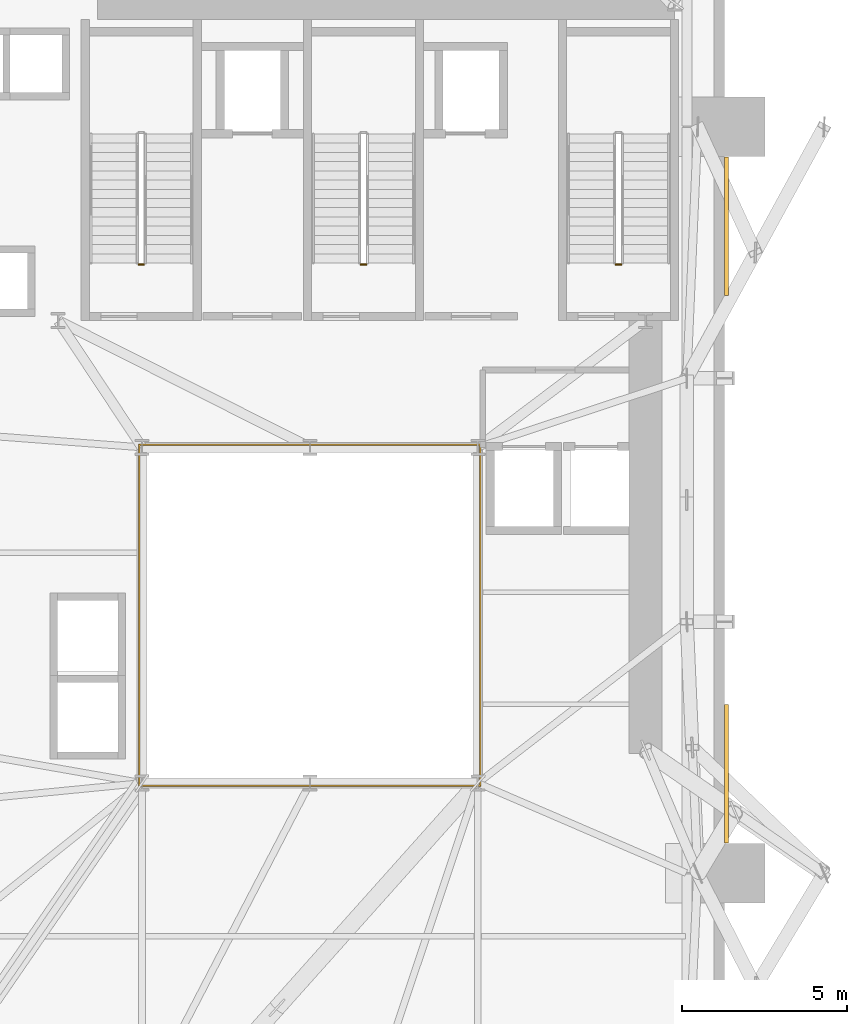
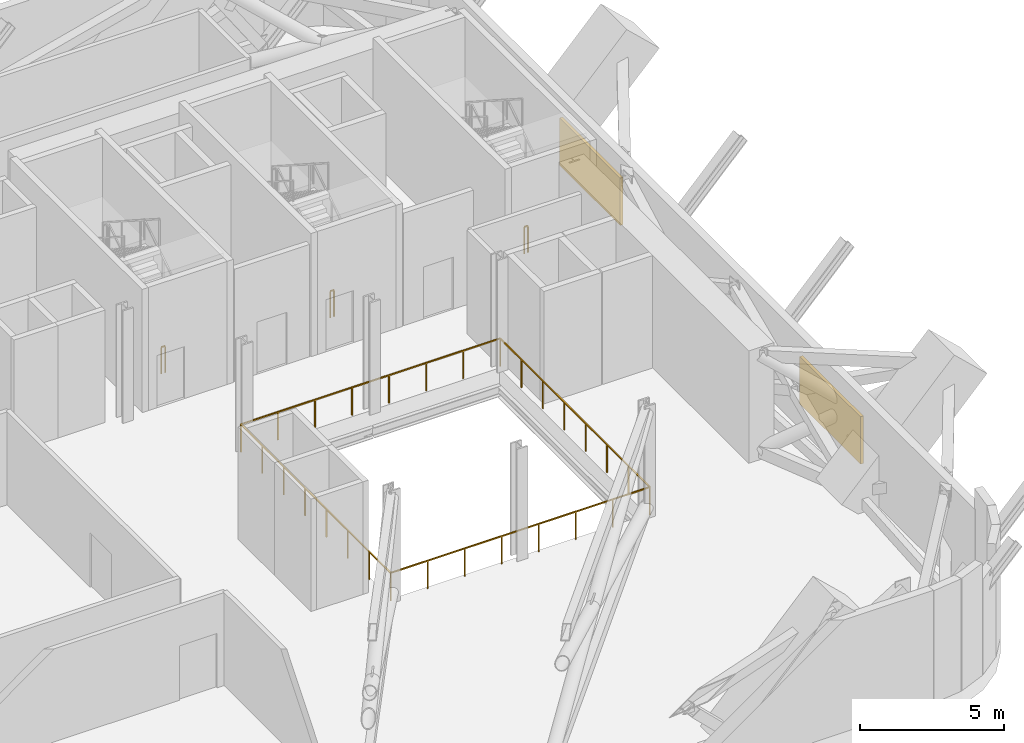
# One storey, part 11 of 12: 4 railings, 2 shading devices.
"""IFC4 building model written with IfcOpenShell, lengths in metres."""

from ifc_helpers import new_model, si_unit, direction, frame, origin, origin_2d, place, context, subcontext, project, spatial, rectangle, extrude, source, transform, mapped, material, layer, layer_set, type_object, element, save


model = new_model("IFC4")

# Units and contexts
model_context = context("Model", 3, precision=1e-05, world=origin(), true_north=direction((0.0, 1.0)))
body_context = subcontext(model_context, "Body", "Model", "MODEL_VIEW")
ifc_project = project(units=[si_unit("LENGTHUNIT", "METRE"), si_unit("AREAUNIT", "SQUARE_METRE"), si_unit("VOLUMEUNIT", "CUBIC_METRE"), si_unit("PLANEANGLEUNIT", "RADIAN"), si_unit("MASSUNIT", "GRAM", prefix="KILO")], contexts=[model_context])

# Site, building, storey
site_placement = place(None, origin())
site = spatial("IfcSite", under=ifc_project, at=site_placement, CompositionType="ELEMENT")
building_placement = place(site_placement, origin())
building = spatial("IfcBuilding", under=site, at=building_placement, Name="Vardaveli Station Tower", CompositionType="ELEMENT")
storey_placement = place(building_placement, frame((0.0, 0.0, 93.300048828125)))
storey = spatial("IfcBuildingStorey", under=building, at=storey_placement, Name="L24", CompositionType="ELEMENT", Elevation=93.300048828125)

# Shading devices
ifc_material_1 = material(Name="Anodised champagne aluminium acoustic louvre", Category="aluminium")
ifc_layer = layer(ifc_material_1, 0.1201171875, Name="Anodised champagne aluminium acoustic louvre")
ifc_layer_set = layer_set([ifc_layer], Name="Anodised champagne aluminium acoustic louvre")
shading_device_type = type_object("IfcShadingDeviceType", Name="SHD-LOUVRE-JAL", PredefinedType="JALOUSIE", material=ifc_layer_set)
shared_shape_1 = source(origin(), body_context, "Body", "SweptSolid", [
    extrude(rectangle(XDim=4.199951171875, YDim=0.1201171875, at=origin_2d()), origin(), (0.0, 0.0, 1.0), 2.0),
])
for number, where, z_axis, x_axis, name in (
    (1, (48.9541015625, 16.884033203125, 0.599853515625), (0.0, 0.0, 1.0), (0.0, 1.0, 0.0), "SHD-LV-L24-E1"),
    (2, (48.9541015625, 33.51611328125, 0.599853515625), (0.0, 0.0, 1.0), (0.0, 1.0, 0.0), "SHD-LV-L24-E2"),
):
    element("IfcShadingDevice", number, at=place(storey_placement, frame(where, z_axis=z_axis, x_axis=x_axis)), inside=storey, type_object=shading_device_type, Name=name, PredefinedType="JALOUSIE", context=body_context, shape_type="MappedRepresentation", body=[
        mapped(shared_shape_1, transform((0.0, 0.0, 0.0), scale=1.0)),
    ])

# Railings
ifc_material_2 = material(Name="Brushed AISI 316 stainless steel", Category="steel")
railing_type_1 = type_object("IfcRailingType", Name="RL-GUARD-1150", PredefinedType="GUARDRAIL", material=ifc_material_2)
shared_shape_2 = source(origin(), body_context, "Body", "SweptSolid", [
    extrude(rectangle(XDim=0.048095703125, YDim=0.048095703125, at=origin_2d()), frame((0.0, 0.0, 1.1259765625), z_axis=(-1.0, 0.0, 0.0), x_axis=(0.0, -1.0, 0.0)), (0.0, 0.0, 1.0), 0.14990234375),
    extrude(rectangle(XDim=0.0419921875, YDim=0.0419921875, at=origin_2d()), origin(), (0.0, 0.0, 1.0), 1.101806640625),
    extrude(rectangle(XDim=0.0419921875, YDim=0.0419921875, at=origin_2d()), frame((-0.14990234375, 0.0, 0.0)), (0.0, 0.0, 1.0), 1.101806640625),
])
for number, where, name in (
    (3, (31.25, 32.35009765625, 0.0), "L24 ST-1 stair guard 4"),
    (4, (38.0, 32.35009765625, 0.0), "L24 ST-2 stair guard 4"),
    (5, (45.75, 32.35009765625, 0.0), "L24 ST-3 stair guard 4"),
):
    element("IfcRailing", number, at=place(storey_placement, frame(where)), inside=storey, type_object=railing_type_1, Name=name, PredefinedType="GUARDRAIL", context=body_context, shape_type="MappedRepresentation", body=[
        mapped(shared_shape_2, transform((0.0, 0.0, 0.0), scale=1.0)),
    ])
ifc_material_3 = material(Name="Laminated glass and stainless steel balustrade", Category="steel")
railing_type_2 = type_object("IfcRailingType", Name="RL-BAL-1200", PredefinedType="BALUSTRADE", material=ifc_material_3)
shared_shape_3 = source(origin(), body_context, "Body", "SweptSolid", [
    extrude(rectangle(XDim=0.048095703125, YDim=0.048095703125, at=origin_2d()), frame((0.0, 0.0, 1.17578125), z_axis=(1.0, 0.0, 0.0), x_axis=(0.0, 1.0, 0.0)), (0.0, 0.0, 1.0), 10.35986328125),
    extrude(rectangle(XDim=0.048095703125, YDim=0.048095703125, at=origin_2d()), frame((10.35986328125, 0.0, 1.17578125), z_axis=(0.0, 1.0, 0.0), x_axis=(-1.0, 0.0, 0.0)), (0.0, 0.0, 1.0), 10.35986328125),
    extrude(rectangle(XDim=0.048095703125, YDim=0.048095703125, at=origin_2d()), frame((10.35986328125, 10.35986328125, 1.17578125), z_axis=(-1.0, 0.0, 0.0), x_axis=(0.0, -1.0, 0.0)), (0.0, 0.0, 1.0), 10.35986328125),
    extrude(rectangle(XDim=0.048095703125, YDim=0.048095703125, at=origin_2d()), frame((0.0, 10.35986328125, 1.17578125), z_axis=(0.0, -1.0, 0.0), x_axis=(1.0, 0.0, 0.0)), (0.0, 0.0, 1.0), 10.35986328125),
    extrude(rectangle(XDim=0.0419921875, YDim=0.0419921875, at=origin_2d()), origin(), (0.0, 0.0, 1.0), 1.15185546875),
    extrude(rectangle(XDim=0.0419921875, YDim=0.0419921875, at=origin_2d()), frame((1.47998046875, 0.0, 0.0)), (0.0, 0.0, 1.0), 1.15185546875),
    extrude(rectangle(XDim=0.0419921875, YDim=0.0419921875, at=origin_2d()), frame((2.9599609375, 0.0, 0.0)), (0.0, 0.0, 1.0), 1.15185546875),
    extrude(rectangle(XDim=0.0419921875, YDim=0.0419921875, at=origin_2d()), frame((4.43994140625, 0.0, 0.0)), (0.0, 0.0, 1.0), 1.15185546875),
    extrude(rectangle(XDim=0.0419921875, YDim=0.0419921875, at=origin_2d()), frame((5.919921875, 0.0, 0.0)), (0.0, 0.0, 1.0), 1.15185546875),
    extrude(rectangle(XDim=0.0419921875, YDim=0.0419921875, at=origin_2d()), frame((7.39990234375, 0.0, 0.0)), (0.0, 0.0, 1.0), 1.15185546875),
    extrude(rectangle(XDim=0.0419921875, YDim=0.0419921875, at=origin_2d()), frame((8.8798828125, 0.0, 0.0)), (0.0, 0.0, 1.0), 1.15185546875),
    extrude(rectangle(XDim=0.0419921875, YDim=0.0419921875, at=origin_2d()), frame((10.35986328125, 0.0, 0.0)), (0.0, 0.0, 1.0), 1.15185546875),
    extrude(rectangle(XDim=0.0419921875, YDim=0.0419921875, at=origin_2d()), frame((10.35986328125, 1.47998046875, 0.0)), (0.0, 0.0, 1.0), 1.15185546875),
    extrude(rectangle(XDim=0.0419921875, YDim=0.0419921875, at=origin_2d()), frame((10.35986328125, 2.9599609375, 0.0)), (0.0, 0.0, 1.0), 1.15185546875),
    extrude(rectangle(XDim=0.0419921875, YDim=0.0419921875, at=origin_2d()), frame((10.35986328125, 4.43994140625, 0.0)), (0.0, 0.0, 1.0), 1.15185546875),
    extrude(rectangle(XDim=0.0419921875, YDim=0.0419921875, at=origin_2d()), frame((10.35986328125, 5.919921875, 0.0)), (0.0, 0.0, 1.0), 1.15185546875),
    extrude(rectangle(XDim=0.0419921875, YDim=0.0419921875, at=origin_2d()), frame((10.35986328125, 7.39990234375, 0.0)), (0.0, 0.0, 1.0), 1.15185546875),
    extrude(rectangle(XDim=0.0419921875, YDim=0.0419921875, at=origin_2d()), frame((10.35986328125, 8.8798828125, 0.0)), (0.0, 0.0, 1.0), 1.15185546875),
    extrude(rectangle(XDim=0.0419921875, YDim=0.0419921875, at=origin_2d()), frame((10.35986328125, 10.35986328125, 0.0)), (0.0, 0.0, 1.0), 1.15185546875),
    extrude(rectangle(XDim=0.0419921875, YDim=0.0419921875, at=origin_2d()), frame((8.8798828125, 10.35986328125, 0.0)), (0.0, 0.0, 1.0), 1.15185546875),
    extrude(rectangle(XDim=0.0419921875, YDim=0.0419921875, at=origin_2d()), frame((7.39990234375, 10.35986328125, 0.0)), (0.0, 0.0, 1.0), 1.15185546875),
    extrude(rectangle(XDim=0.0419921875, YDim=0.0419921875, at=origin_2d()), frame((5.919921875, 10.35986328125, 0.0)), (0.0, 0.0, 1.0), 1.15185546875),
    extrude(rectangle(XDim=0.0419921875, YDim=0.0419921875, at=origin_2d()), frame((4.43994140625, 10.35986328125, 0.0)), (0.0, 0.0, 1.0), 1.15185546875),
    extrude(rectangle(XDim=0.0419921875, YDim=0.0419921875, at=origin_2d()), frame((2.9599609375, 10.35986328125, 0.0)), (0.0, 0.0, 1.0), 1.15185546875),
    extrude(rectangle(XDim=0.0419921875, YDim=0.0419921875, at=origin_2d()), frame((1.47998046875, 10.35986328125, 0.0)), (0.0, 0.0, 1.0), 1.15185546875),
    extrude(rectangle(XDim=0.0419921875, YDim=0.0419921875, at=origin_2d()), frame((0.0, 10.35986328125, 0.0)), (0.0, 0.0, 1.0), 1.15185546875),
    extrude(rectangle(XDim=0.0419921875, YDim=0.0419921875, at=origin_2d()), frame((0.0, 8.8798828125, 0.0)), (0.0, 0.0, 1.0), 1.15185546875),
    extrude(rectangle(XDim=0.0419921875, YDim=0.0419921875, at=origin_2d()), frame((0.0, 7.39990234375, 0.0)), (0.0, 0.0, 1.0), 1.15185546875),
    extrude(rectangle(XDim=0.0419921875, YDim=0.0419921875, at=origin_2d()), frame((0.0, 5.919921875, 0.0)), (0.0, 0.0, 1.0), 1.15185546875),
    extrude(rectangle(XDim=0.0419921875, YDim=0.0419921875, at=origin_2d()), frame((0.0, 4.43994140625, 0.0)), (0.0, 0.0, 1.0), 1.15185546875),
    extrude(rectangle(XDim=0.0419921875, YDim=0.0419921875, at=origin_2d()), frame((0.0, 2.9599609375, 0.0)), (0.0, 0.0, 1.0), 1.15185546875),
    extrude(rectangle(XDim=0.0419921875, YDim=0.0419921875, at=origin_2d()), frame((0.0, 1.47998046875, 0.0)), (0.0, 0.0, 1.0), 1.15185546875),
])
railing_placement = place(storey_placement, frame((31.1201171875, 16.52001953125, 0.0)))
element("IfcRailing", 6, at=railing_placement, inside=storey, type_object=railing_type_2, Name="RL-ATR-L24", PredefinedType="BALUSTRADE", context=body_context, shape_type="MappedRepresentation", body=[
    mapped(shared_shape_3, transform((0.0, 0.0, 0.0), scale=1.0)),
])

save(model, "model.ifc")
